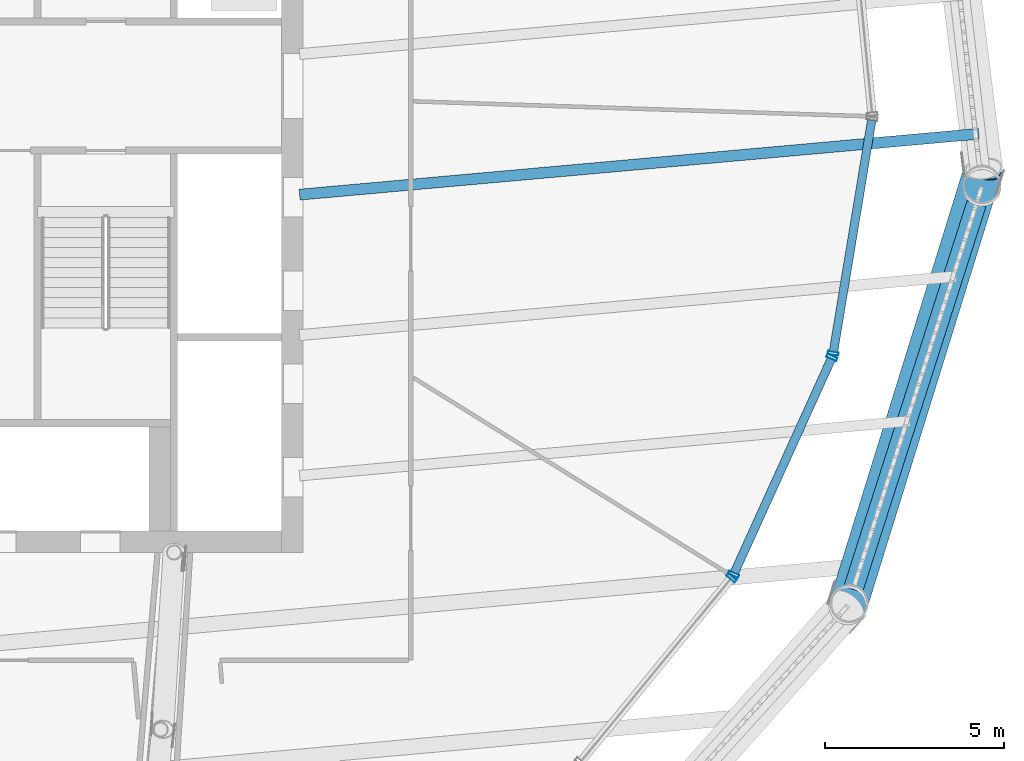
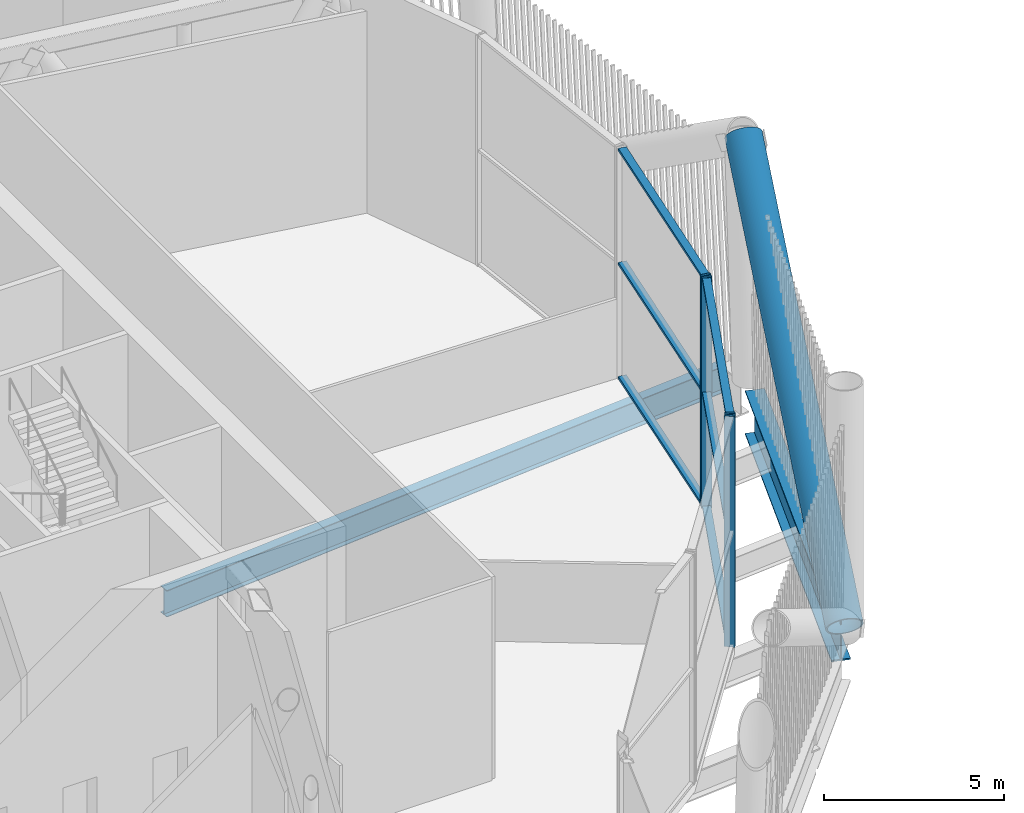
# One storey, part 19 of 55: 11 members, 2 beams, 3 elements without a shape of their own.
"""IFC4 building model written with IfcOpenShell, lengths in metres."""

from ifc_helpers import new_model, si_unit, direction, frame, origin, origin_2d, place, context, subcontext, project, spatial, hollow_rectangle, hollow_circle, i_section, extrude, material, layer, layer_set, material_profile, profile_set, type_object, element, aggregate, save


model = new_model("IFC4")

# Units and contexts
model_context = context("Model", 3, precision=1e-05, world=origin(), true_north=direction((0.0, 1.0)))
body_context = subcontext(model_context, "Body", "Model", "MODEL_VIEW")
ifc_project = project(units=[si_unit("LENGTHUNIT", "METRE"), si_unit("AREAUNIT", "SQUARE_METRE"), si_unit("VOLUMEUNIT", "CUBIC_METRE"), si_unit("PLANEANGLEUNIT", "RADIAN"), si_unit("MASSUNIT", "GRAM", prefix="KILO")], contexts=[model_context])

# Site, building, storey
site_placement = place(None, origin())
site = spatial("IfcSite", under=ifc_project, at=site_placement, CompositionType="ELEMENT")
building_placement = place(site_placement, origin())
building = spatial("IfcBuilding", under=site, at=building_placement, Name="Tarsis Ring Headquarters", CompositionType="ELEMENT")
storey_placement = place(building_placement, frame((0.0, 0.0, 247.199951171875)))
storey = spatial("IfcBuildingStorey", under=building, at=storey_placement, Name="L58", CompositionType="ELEMENT", Elevation=247.199951171875)

# Curtain wall, member
ifc_material_1 = material(Name="Aluminium curtain wall", Category="aluminium")
ifc_layer = layer(ifc_material_1, 0.300048828125)
ifc_layer_set = layer_set([ifc_layer], Name="Curtain wall upper sky lobby")
curtain_wall_type = type_object("IfcCurtainWallType", Name="Curtain wall upper sky lobby", PredefinedType="NOTDEFINED", material=ifc_layer_set)
curtain_wall_1_placement = place(storey_placement, origin())
curtain_wall_1 = element("IfcCurtainWall", 1, at=curtain_wall_1_placement, inside=storey, type_object=curtain_wall_type, Name="Curtain wall L58-18", PredefinedType="NOTDEFINED")
ifc_material_2 = material(Name="Aluminium mullion", Category="aluminium")
ifc_material_profile_1 = material_profile(ifc_material_2, hollow_rectangle(XDim=0.300048828125, YDim=0.090087890625, WallThickness=0.0048828125, at=origin_2d()), Name="RHS 300x90x5")
ifc_profile_set_1 = profile_set([ifc_material_profile_1], Name="Aluminium mullion")
member_type_1 = type_object("IfcMemberType", Name="Curtain wall mullion upper sky lobby RHS 300x90x5", PredefinedType="MULLION", material=ifc_profile_set_1)
member_1_placement = place(storey_placement, frame((21.931884765625, -13.712646484375, 0.0), z_axis=(0.0, 0.0, 1.0), x_axis=(-0.772955112947, 0.634460710658, 0.0)))
member_1 = element("IfcMember", 2, at=member_1_placement, type_object=member_type_1, Name="CW-U mullion 2", PredefinedType="MULLION", context=body_context, shape_type="SweptSolid", body=[
    extrude(hollow_rectangle(XDim=0.300048828125, YDim=0.090087890625, WallThickness=0.0048828125, at=origin_2d()), origin(), (0.0, 0.0, 1.0), 7.840087890625),
])
aggregate(curtain_wall_1, [member_1])

# Curtain wall, members
curtain_wall_2_placement = place(storey_placement, origin())
curtain_wall_2 = element("IfcCurtainWall", 3, at=curtain_wall_2_placement, inside=storey, type_object=curtain_wall_type, Name="Curtain wall L58-19", PredefinedType="NOTDEFINED")
member_2_placement = place(storey_placement, frame((21.996337890625, -13.609130859375, 0.0), z_axis=(0.0, 0.0, 1.0), x_axis=(-0.910827858124, 0.412786401019, 0.0)))
member_2 = element("IfcMember", 4, at=member_2_placement, type_object=member_type_1, Name="CW-U mullion 1", PredefinedType="MULLION", context=body_context, shape_type="SweptSolid", body=[
    extrude(hollow_rectangle(XDim=0.300048828125, YDim=0.090087890625, WallThickness=0.0048828125, at=origin_2d()), origin(), (0.0, 0.0, 1.0), 7.840087890625),
])
member_3_placement = place(storey_placement, frame((24.73388671875, -7.56884765625, 0.0), z_axis=(0.0, 0.0, 1.0), x_axis=(-0.910827858124, 0.412786401019, 0.0)))
member_3 = element("IfcMember", 5, at=member_3_placement, type_object=member_type_1, Name="CW-U mullion 2", PredefinedType="MULLION", context=body_context, shape_type="SweptSolid", body=[
    extrude(hollow_rectangle(XDim=0.300048828125, YDim=0.090087890625, WallThickness=0.0048828125, at=origin_2d()), origin(), (0.0, 0.0, 1.0), 7.840087890625),
])

# Curtain wall, member
curtain_wall_3_placement = place(storey_placement, origin())
curtain_wall_3 = element("IfcCurtainWall", 6, at=curtain_wall_3_placement, inside=storey, type_object=curtain_wall_type, Name="Curtain wall L58-20", PredefinedType="NOTDEFINED")
member_4_placement = place(storey_placement, frame((24.76904296875, -7.452392578125, 0.0), z_axis=(0.0, 0.0, 1.0), x_axis=(-0.986629144898, 0.162981380647, 0.0)))
member_4 = element("IfcMember", 7, at=member_4_placement, type_object=member_type_1, Name="CW-U mullion 1", PredefinedType="MULLION", context=body_context, shape_type="SweptSolid", body=[
    extrude(hollow_rectangle(XDim=0.300048828125, YDim=0.090087890625, WallThickness=0.0048828125, at=origin_2d()), origin(), (0.0, 0.0, 1.0), 7.840087890625),
])

# Member
ifc_material_3 = material(Name="Aluminium transom", Category="aluminium")
ifc_material_profile_2 = material_profile(ifc_material_3, hollow_rectangle(XDim=0.239990234375, YDim=0.090087890625, WallThickness=0.0048828125, at=origin_2d()), Name="RHS 240x90x5")
ifc_profile_set_2 = profile_set([ifc_material_profile_2], Name="Aluminium transom")
member_type_2 = type_object("IfcMemberType", Name="Curtain wall transom upper sky lobby RHS 240x90x5", PredefinedType="USERDEFINED", material=ifc_profile_set_2)
member_5_placement = place(storey_placement, frame((22.014892578125, -13.568115234375, 0.045166015625), z_axis=(0.412776338711, 0.910832418286, 0.0), x_axis=(-0.910832418286, 0.412776338711, 0.0)))
member_5 = element("IfcMember", 8, at=member_5_placement, type_object=member_type_2, Name="CW-U transom 1.1", ObjectType="TRANSOM", PredefinedType="USERDEFINED", context=body_context, shape_type="SweptSolid", body=[
    extrude(hollow_rectangle(XDim=0.239990234375, YDim=0.090087890625, WallThickness=0.0048828125, at=origin_2d()), origin(), (0.0, 0.0, 1.0), 6.54150390625),
])

member_6_placement = place(storey_placement, frame((22.014892578125, -13.568115234375, 3.920166015625), z_axis=(0.412776338711, 0.910832418286, 0.0), x_axis=(-0.910832418286, 0.412776338711, 0.0)))
member_6 = element("IfcMember", 9, at=member_6_placement, type_object=member_type_2, Name="CW-U transom 1.2", ObjectType="TRANSOM", PredefinedType="USERDEFINED", context=body_context, shape_type="SweptSolid", body=[
    extrude(hollow_rectangle(XDim=0.239990234375, YDim=0.090087890625, WallThickness=0.0048828125, at=origin_2d()), origin(), (0.0, 0.0, 1.0), 6.54150390625),
])

member_7_placement = place(storey_placement, frame((22.014892578125, -13.568115234375, 7.795166015625), z_axis=(0.412776338711, 0.910832418286, 0.0), x_axis=(-0.910832418286, 0.412776338711, 0.0)))
member_7 = element("IfcMember", 10, at=member_7_placement, type_object=member_type_2, Name="CW-U transom 1.3", ObjectType="TRANSOM", PredefinedType="USERDEFINED", context=body_context, shape_type="SweptSolid", body=[
    extrude(hollow_rectangle(XDim=0.239990234375, YDim=0.090087890625, WallThickness=0.0048828125, at=origin_2d()), origin(), (0.0, 0.0, 1.0), 6.54150390625),
])

aggregate(curtain_wall_2, [member_2, member_3, member_5, member_6, member_7])

member_8_placement = place(storey_placement, frame((24.776611328125, -7.407958984375, 0.045166015625), z_axis=(0.162946291085, 0.986634940706, 0.0), x_axis=(-0.986634940706, 0.162946291085, 0.0)))
member_8 = element("IfcMember", 11, at=member_8_placement, type_object=member_type_2, Name="CW-U transom 1.1", ObjectType="TRANSOM", PredefinedType="USERDEFINED", context=body_context, shape_type="SweptSolid", body=[
    extrude(hollow_rectangle(XDim=0.239990234375, YDim=0.090087890625, WallThickness=0.0048828125, at=origin_2d()), origin(), (0.0, 0.0, 1.0), 6.54150390625),
])

member_9_placement = place(storey_placement, frame((24.776611328125, -7.407958984375, 3.920166015625), z_axis=(0.162946291085, 0.986634940706, 0.0), x_axis=(-0.986634940706, 0.162946291085, 0.0)))
member_9 = element("IfcMember", 12, at=member_9_placement, type_object=member_type_2, Name="CW-U transom 1.2", ObjectType="TRANSOM", PredefinedType="USERDEFINED", context=body_context, shape_type="SweptSolid", body=[
    extrude(hollow_rectangle(XDim=0.239990234375, YDim=0.090087890625, WallThickness=0.0048828125, at=origin_2d()), origin(), (0.0, 0.0, 1.0), 6.54150390625),
])

member_10_placement = place(storey_placement, frame((24.776611328125, -7.407958984375, 7.795166015625), z_axis=(0.162946291085, 0.986634940706, 0.0), x_axis=(-0.986634940706, 0.162946291085, 0.0)))
member_10 = element("IfcMember", 13, at=member_10_placement, type_object=member_type_2, Name="CW-U transom 1.3", ObjectType="TRANSOM", PredefinedType="USERDEFINED", context=body_context, shape_type="SweptSolid", body=[
    extrude(hollow_rectangle(XDim=0.239990234375, YDim=0.090087890625, WallThickness=0.0048828125, at=origin_2d()), origin(), (0.0, 0.0, 1.0), 6.54150390625),
])

aggregate(curtain_wall_3, [member_4, member_8, member_9, member_10])

# Beam
ifc_material_4 = material(Name="Structural steel S355", Category="steel")
ifc_material_profile_3 = material_profile(ifc_material_4, i_section(OverallWidth=0.3046875, OverallDepth=0.904296875, WebThickness=0.01513671875, FlangeThickness=0.02001953125, at=origin_2d()), Name="W36x135")
ifc_profile_set_3 = profile_set([ifc_material_profile_3], Name="Structural steel S355")
beam_type_1 = type_object("IfcBeamType", Name="FB Floor beam W36x135", PredefinedType="JOIST", material=ifc_profile_set_3)
beam_1_placement = place(storey_placement, frame((9.900390625, -3.028564453125, -0.751953125), z_axis=(0.996010423893, 0.089236962613, 0.0), x_axis=(-0.089236962613, 0.996010423893, 0.0)))
element("IfcBeam", 14, at=beam_1_placement, inside=storey, type_object=beam_type_1, Name="Floor beam FB8", PredefinedType="JOIST", context=body_context, shape_type="SweptSolid", body=[
    extrude(i_section(OverallWidth=0.3046875, OverallDepth=0.904296875, WebThickness=0.01513671875, FlangeThickness=0.02001953125, at=origin_2d()), origin(), (0.0, 0.0, 1.0), 19.00048828125),
])

# Member
ifc_material_profile_4 = material_profile(ifc_material_4, hollow_circle(Radius=0.533447265625, WallThickness=0.044921875, at=origin_2d()), Name="CHS 1067x45")
ifc_profile_set_4 = profile_set([ifc_material_profile_4], Name="Structural steel S355")
member_type_3 = type_object("IfcMemberType", Name="TD Belt truss diagonal CHS 1067x45", PredefinedType="BRACE", material=ifc_profile_set_4)
member_11_placement = place(storey_placement, frame((25.18017578125, -14.483642578125, 0.0), z_axis=(0.250957707372, 0.808915529903, 0.531672732602), x_axis=(-0.955092556859, 0.296307623647, 0.0)))
element("IfcMember", 15, at=member_11_placement, inside=storey, type_object=member_type_3, Name="Belt truss diagonal TD5", PredefinedType="BRACE", context=body_context, shape_type="SweptSolid", body=[
    extrude(hollow_circle(Radius=0.533447265625, WallThickness=0.044921875, at=origin_2d()), origin(), (0.0, 0.0, 1.0), 15.046875),
])

# Beam
ifc_material_profile_5 = material_profile(ifc_material_4, i_section(OverallWidth=0.550048828125, OverallDepth=1.5, WebThickness=0.030029296875, FlangeThickness=0.050048828125, at=origin_2d()), Name="PG 1500x550x30x50")
ifc_profile_set_5 = profile_set([ifc_material_profile_5], Name="Structural steel S355")
beam_type_2 = type_object("IfcBeamType", Name="XG Ring girder PG 1500x550x30x50", PredefinedType="BEAM", material=ifc_profile_set_5)
beam_2_placement = place(storey_placement, frame((25.326416015625, -14.0263671875, -0.75), z_axis=(0.304636043773, 0.952468834574, 0.0), x_axis=(-0.952468834574, 0.304636043773, 0.0)))
element("IfcBeam", 16, at=beam_2_placement, inside=storey, type_object=beam_type_2, Name="Ring girder XG6", PredefinedType="BEAM", context=body_context, shape_type="SweptSolid", body=[
    extrude(i_section(OverallWidth=0.550048828125, OverallDepth=1.5, WebThickness=0.030029296875, FlangeThickness=0.050048828125, at=origin_2d()), origin(), (0.0, 0.0, 1.0), 11.288818359375),
])

save(model, "model.ifc")
